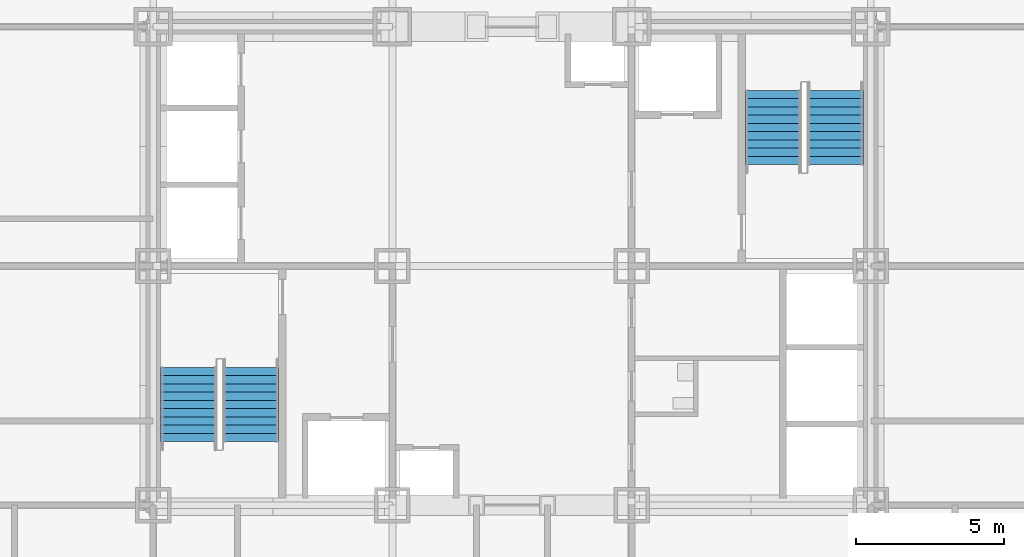
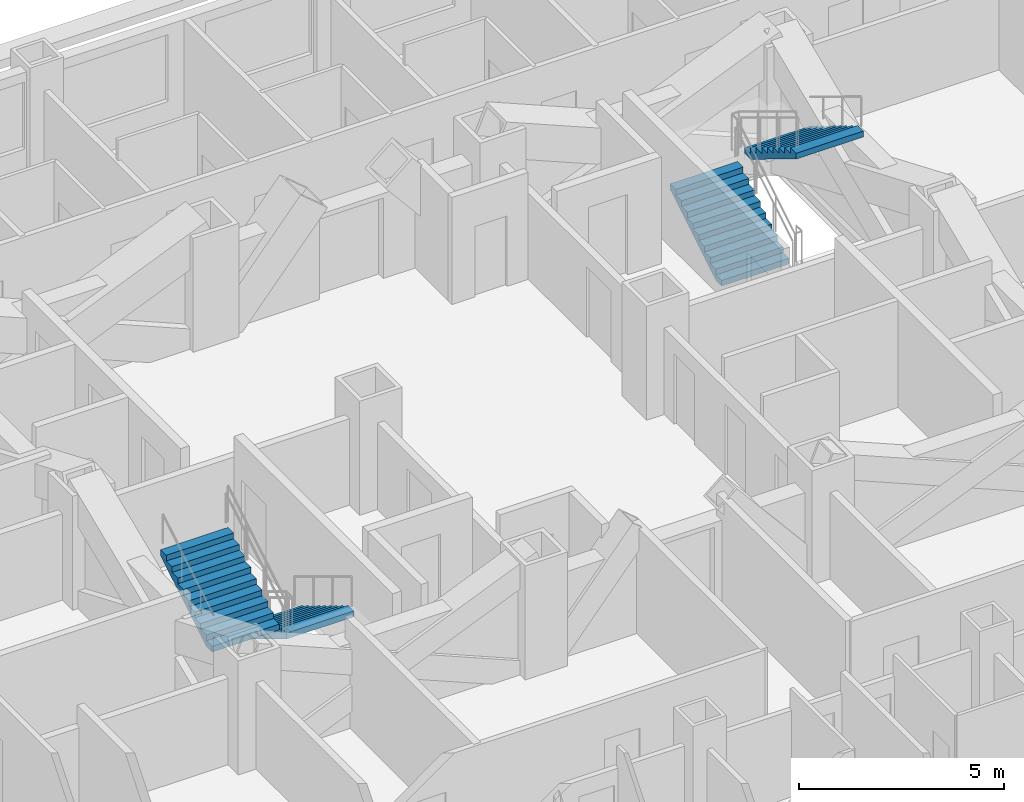
# One storey, part 11 of 13: 4 stair flights, 2 elements without a shape of their own.
"""IFC4 building model written with IfcOpenShell, lengths in metres."""

from ifc_helpers import new_model, si_unit, direction, frame, origin, place, context, subcontext, project, spatial, polygons, source, transform, mapped, material, type_object, element, aggregate, save


model = new_model("IFC4")

# Units and contexts
model_context = context("Model", 3, precision=1e-05, world=origin(), true_north=direction((0.0, 1.0)))
body_context = subcontext(model_context, "Body", "Model", "MODEL_VIEW")
ifc_project = project(units=[si_unit("LENGTHUNIT", "METRE"), si_unit("AREAUNIT", "SQUARE_METRE"), si_unit("VOLUMEUNIT", "CUBIC_METRE"), si_unit("PLANEANGLEUNIT", "RADIAN"), si_unit("MASSUNIT", "GRAM", prefix="KILO")], contexts=[model_context])

# Site, building, storey
site_placement = place(None, origin())
site = spatial("IfcSite", under=ifc_project, at=site_placement, CompositionType="ELEMENT")
building_placement = place(site_placement, origin())
building = spatial("IfcBuilding", under=site, at=building_placement, Name="Kopane Lantern Tower", CompositionType="ELEMENT")
storey_placement = place(building_placement, frame((0.0, 0.0, 50.0)))
storey = spatial("IfcBuildingStorey", under=building, at=storey_placement, Name="L11", CompositionType="ELEMENT", Elevation=50.0)

# Stair, stair flights
ifc_material_1 = material(Name="Steel S355JR", Category="steel")
stair_type = type_object("IfcStairType", Name="EXIT STAIR 1900 HALF TURN", PredefinedType="HALF_TURN_STAIR", material=ifc_material_1)
stair_1_placement = place(storey_placement, origin())
stair_1 = element("IfcStair", 1, at=stair_1_placement, inside=storey, type_object=stair_type, Name="Exit stair ST1 L11", PredefinedType="HALF_TURN_STAIR")
ifc_material_2 = material(Name="Steel S355JR", Category="steel")
stair_flight_type = type_object("IfcStairFlightType", Name="STAIR FLIGHT 1900 STEEL", PredefinedType="STRAIGHT", material=ifc_material_2)
shared_shape = source(origin(), body_context, "Body", "Tessellation", [
    polygons([(2.520019531, 0.949951172, 1.530029297), (2.239990234, 0.949951172, 1.530029297), (2.239990234, -0.949951172, 1.530029297), (2.520019531, -0.949951172, 1.530029297), (0.288818359, 0.949951172, 0.0), (2.520019531, 0.949951172, 1.354736328), (2.520019531, -0.949951172, 1.354736328), (0.288818359, -0.949951172, 0.0), (0.0, 0.949951172, 0.0), (0.0, -0.949951172, 0.0), (0.280029297, 0.949951172, 0.169921875), (0.0, 0.949951172, 0.169921875), (0.0, -0.949951172, 0.169921875), (0.280029297, -0.949951172, 0.169921875), (0.280029297, 0.949951172, 0.340087891), (0.280029297, -0.949951172, 0.340087891), (0.560058594, 0.949951172, 0.340087891), (0.560058594, -0.949951172, 0.340087891), (0.560058594, 0.949951172, 0.510009766), (0.560058594, -0.949951172, 0.510009766), (0.840087891, 0.949951172, 0.510009766), (0.840087891, -0.949951172, 0.510009766), (0.840087891, 0.949951172, 0.679931641), (0.840087891, -0.949951172, 0.679931641), (1.120117188, 0.949951172, 0.679931641), (1.120117188, -0.949951172, 0.679931641), (1.120117188, 0.949951172, 0.850097656), (1.120117188, -0.949951172, 0.850097656), (1.399902344, 0.949951172, 0.850097656), (1.399902344, -0.949951172, 0.850097656), (1.399902344, 0.949951172, 1.020019531), (1.399902344, -0.949951172, 1.020019531), (1.679931641, 0.949951172, 1.020019531), (1.679931641, -0.949951172, 1.020019531), (1.679931641, 0.949951172, 1.189941406), (1.679931641, -0.949951172, 1.189941406), (1.959960938, 0.949951172, 1.189941406), (1.959960938, -0.949951172, 1.189941406), (1.959960938, 0.949951172, 1.360107422), (1.959960938, -0.949951172, 1.360107422), (2.239990234, 0.949951172, 1.360107422), (2.239990234, -0.949951172, 1.360107422), (0.0, 0.0, 0.004592483), (0.0, 0.0, 0.009184966), (0.0, 0.0, 0.013777449), (0.0, 0.0, 0.018369932), (0.0, 0.0, 0.022962416), (0.0, 0.0, 0.027554899), (0.0, 0.0, 0.032147382), (0.0, 0.0, 0.036739865), (0.0, 0.0, 0.041332348), (0.0, 0.0, 0.045924831), (0.0, 0.0, 0.050517314), (0.0, 0.0, 0.055109797), (0.0, 0.0, 0.05970228), (0.0, 0.0, 0.064294764), (0.0, 0.0, 0.068887247), (0.0, 0.0, 0.07347973), (0.0, 0.0, 0.078072213), (0.0, 0.0, 0.082664696), (0.0, 0.0, 0.087257179), (0.0, 0.0, 0.091849662), (0.0, 0.0, 0.096442145), (0.0, 0.0, 0.101034628), (0.0, 0.0, 0.105627111), (0.0, 0.0, 0.110219595), (0.0, 0.0, 0.114812078), (0.0, 0.0, 0.119404561), (0.0, 0.0, 0.123997044), (0.0, 0.0, 0.128589527), (0.0, 0.0, 0.13318201), (0.0, 0.0, 0.137774493), (0.0, 0.0, 0.142366976), (0.0, 0.0, 0.146959459), (0.0, 0.0, 0.151551943), (0.0, 0.0, 0.156144426), (0.0, 0.0, 0.160736909), (0.0, 0.0, 0.165329392), (2.520019531, 0.0, 1.359473976), (2.520019531, 0.0, 1.364211624), (2.520019531, 0.0, 1.368949272), (2.520019531, 0.0, 1.373686919), (2.520019531, 0.0, 1.378424567), (2.520019531, 0.0, 1.383162215), (2.520019531, 0.0, 1.387899863), (2.520019531, 0.0, 1.392637511), (2.520019531, 0.0, 1.397375158), (2.520019531, 0.0, 1.402112806), (2.520019531, 0.0, 1.406850454), (2.520019531, 0.0, 1.411588102), (2.520019531, 0.0, 1.41632575), (2.520019531, 0.0, 1.421063397), (2.520019531, 0.0, 1.425801045), (2.520019531, 0.0, 1.430538693), (2.520019531, 0.0, 1.435276341), (2.520019531, 0.0, 1.440013989), (2.520019531, 0.0, 1.444751636), (2.520019531, 0.0, 1.449489284), (2.520019531, 0.0, 1.454226932), (2.520019531, 0.0, 1.45896458), (2.520019531, 0.0, 1.463702228), (2.520019531, 0.0, 1.468439875), (2.520019531, 0.0, 1.473177523), (2.520019531, 0.0, 1.477915171), (2.520019531, 0.0, 1.482652819), (2.520019531, 0.0, 1.487390467), (2.520019531, 0.0, 1.492128114), (2.520019531, 0.0, 1.496865762), (2.520019531, 0.0, 1.50160341), (2.520019531, 0.0, 1.506341058), (2.520019531, 0.0, 1.511078706), (2.520019531, 0.0, 1.515816353), (2.520019531, 0.0, 1.520554001), (2.520019531, 0.0, 1.525291649)], [[[1, 2, 3]], [[1, 3, 4]], [[5, 6, 7]], [[5, 7, 8]], [[9, 5, 8]], [[9, 8, 10]], [[11, 12, 13]], [[11, 13, 14]], [[15, 11, 14]], [[15, 14, 16]], [[17, 15, 16]], [[17, 16, 18]], [[19, 17, 18]], [[19, 18, 20]], [[21, 19, 20]], [[21, 20, 22]], [[23, 21, 22]], [[23, 22, 24]], [[25, 23, 24]], [[25, 24, 26]], [[27, 25, 26]], [[27, 26, 28]], [[29, 27, 28]], [[29, 28, 30]], [[31, 29, 30]], [[31, 30, 32]], [[33, 31, 32]], [[33, 32, 34]], [[35, 33, 34]], [[35, 34, 36]], [[37, 35, 36]], [[37, 36, 38]], [[39, 37, 38]], [[39, 38, 40]], [[41, 39, 40]], [[41, 40, 42]], [[2, 41, 42]], [[2, 42, 3]], [[41, 1, 6]], [[37, 41, 6]], [[2, 1, 41]], [[33, 37, 6]], [[39, 41, 37]], [[35, 37, 33]], [[31, 33, 29]], [[5, 21, 25]], [[27, 29, 25]], [[17, 21, 5]], [[23, 25, 21]], [[11, 17, 5]], [[19, 21, 17]], [[9, 11, 5]], [[15, 17, 11]], [[12, 11, 9]], [[6, 5, 25]], [[6, 25, 29]], [[6, 29, 33]], [[7, 4, 42]], [[7, 42, 38]], [[42, 4, 3]], [[7, 38, 34]], [[38, 42, 40]], [[34, 38, 36]], [[30, 34, 32]], [[26, 22, 8]], [[26, 30, 28]], [[8, 22, 18]], [[22, 26, 24]], [[8, 18, 14]], [[18, 22, 20]], [[8, 14, 10]], [[14, 18, 16]], [[10, 14, 13]], [[26, 8, 7]], [[30, 26, 7]], [[34, 30, 7]], [[10, 43, 9]], [[10, 44, 43]], [[9, 43, 44]], [[10, 45, 44]], [[9, 44, 45]], [[10, 46, 45]], [[9, 45, 46]], [[10, 47, 46]], [[9, 46, 47]], [[10, 48, 47]], [[9, 47, 48]], [[10, 49, 48]], [[9, 48, 49]], [[10, 50, 49]], [[9, 49, 50]], [[10, 51, 50]], [[9, 50, 51]], [[10, 52, 51]], [[9, 51, 52]], [[10, 53, 52]], [[9, 52, 53]], [[10, 54, 53]], [[9, 53, 54]], [[10, 55, 54]], [[9, 54, 55]], [[10, 56, 55]], [[9, 55, 56]], [[10, 57, 56]], [[9, 56, 57]], [[10, 58, 57]], [[9, 57, 58]], [[10, 59, 58]], [[9, 58, 59]], [[10, 60, 59]], [[9, 59, 60]], [[10, 61, 60]], [[9, 60, 61]], [[10, 62, 61]], [[9, 61, 62]], [[10, 63, 62]], [[9, 62, 63]], [[10, 64, 63]], [[9, 63, 64]], [[10, 65, 64]], [[9, 64, 65]], [[10, 66, 65]], [[9, 65, 66]], [[10, 67, 66]], [[9, 66, 67]], [[10, 68, 67]], [[9, 67, 68]], [[10, 69, 68]], [[9, 68, 69]], [[10, 70, 69]], [[9, 69, 70]], [[10, 71, 70]], [[9, 70, 71]], [[10, 72, 71]], [[9, 71, 72]], [[10, 73, 72]], [[9, 72, 73]], [[10, 74, 73]], [[9, 73, 74]], [[10, 75, 74]], [[9, 74, 75]], [[10, 76, 75]], [[9, 75, 76]], [[10, 77, 76]], [[9, 76, 77]], [[10, 78, 77]], [[9, 77, 78]], [[10, 13, 78]], [[78, 13, 12]], [[9, 78, 12]], [[7, 6, 79]], [[7, 79, 80]], [[6, 80, 79]], [[7, 80, 81]], [[6, 81, 80]], [[7, 81, 82]], [[6, 82, 81]], [[7, 82, 83]], [[6, 83, 82]], [[7, 83, 84]], [[6, 84, 83]], [[7, 84, 85]], [[6, 85, 84]], [[7, 85, 86]], [[6, 86, 85]], [[7, 86, 87]], [[6, 87, 86]], [[7, 87, 88]], [[6, 88, 87]], [[7, 88, 89]], [[6, 89, 88]], [[7, 89, 90]], [[6, 90, 89]], [[7, 90, 91]], [[6, 91, 90]], [[7, 91, 92]], [[6, 92, 91]], [[7, 92, 93]], [[6, 93, 92]], [[7, 93, 94]], [[6, 94, 93]], [[7, 94, 95]], [[6, 95, 94]], [[7, 95, 96]], [[6, 96, 95]], [[7, 96, 97]], [[6, 97, 96]], [[7, 97, 98]], [[6, 98, 97]], [[7, 98, 99]], [[6, 99, 98]], [[7, 99, 100]], [[6, 100, 99]], [[7, 100, 101]], [[6, 101, 100]], [[7, 101, 102]], [[6, 102, 101]], [[7, 102, 103]], [[6, 103, 102]], [[7, 103, 104]], [[6, 104, 103]], [[7, 104, 105]], [[6, 105, 104]], [[7, 105, 106]], [[6, 106, 105]], [[7, 106, 107]], [[6, 107, 106]], [[7, 107, 108]], [[6, 108, 107]], [[7, 108, 109]], [[6, 109, 108]], [[7, 109, 110]], [[6, 110, 109]], [[7, 110, 111]], [[6, 111, 110]], [[7, 111, 112]], [[6, 112, 111]], [[7, 112, 113]], [[6, 113, 112]], [[7, 113, 114]], [[6, 114, 113]], [[7, 114, 4]], [[114, 1, 4]], [[6, 1, 114]]], closed=True),
])
stair_flight_1_placement = place(storey_placement, frame((19.5, 28.969970703125, 0.0), z_axis=(0.0, 0.0, 1.0), x_axis=(0.0, -1.0, 0.0)))
stair_flight_1 = element("IfcStairFlight", 2, at=stair_flight_1_placement, type_object=stair_flight_type, Name="ST1 flight 1", NumberOfRisers=10, NumberOfTreads=9, PredefinedType="STRAIGHT", RiserHeight=0.17, TreadLength=0.28, context=body_context, shape_type="MappedRepresentation", body=[
    mapped(shared_shape, transform((0.0, 0.0, 0.0))),
])
stair_flight_2_placement = place(storey_placement, frame((17.39990234375, 26.449951171875, 1.699951171875), z_axis=(0.0, 0.0, 1.0), x_axis=(0.0, 1.0, 0.0)))
stair_flight_2 = element("IfcStairFlight", 3, at=stair_flight_2_placement, type_object=stair_flight_type, Name="ST1 flight 2", NumberOfRisers=10, NumberOfTreads=9, PredefinedType="STRAIGHT", RiserHeight=0.17, TreadLength=0.28, context=body_context, shape_type="MappedRepresentation", body=[
    mapped(shared_shape, transform((0.0, 0.0, 0.0))),
])
aggregate(stair_1, [stair_flight_1, stair_flight_2])

stair_2_placement = place(storey_placement, origin())
stair_2 = element("IfcStair", 4, at=stair_2_placement, inside=storey, type_object=stair_type, Name="Exit stair ST2 L11", PredefinedType="HALF_TURN_STAIR")
stair_flight_3_placement = place(storey_placement, frame((37.199951171875, 35.830078125, 0.0), z_axis=(0.0, 0.0, 1.0), x_axis=(0.0, 1.0, 0.0)))
stair_flight_3 = element("IfcStairFlight", 5, at=stair_flight_3_placement, type_object=stair_flight_type, Name="ST2 flight 1", NumberOfRisers=10, NumberOfTreads=9, PredefinedType="STRAIGHT", RiserHeight=0.17, TreadLength=0.28, context=body_context, shape_type="MappedRepresentation", body=[
    mapped(shared_shape, transform((0.0, 0.0, 0.0))),
])
stair_flight_4_placement = place(storey_placement, frame((39.300048828125, 38.35009765625, 1.699951171875), z_axis=(0.0, 0.0, 1.0), x_axis=(0.0, -1.0, 0.0)))
stair_flight_4 = element("IfcStairFlight", 6, at=stair_flight_4_placement, type_object=stair_flight_type, Name="ST2 flight 2", NumberOfRisers=10, NumberOfTreads=9, PredefinedType="STRAIGHT", RiserHeight=0.17, TreadLength=0.28, context=body_context, shape_type="MappedRepresentation", body=[
    mapped(shared_shape, transform((0.0, 0.0, 0.0))),
])
aggregate(stair_2, [stair_flight_3, stair_flight_4])

save(model, "model.ifc")
